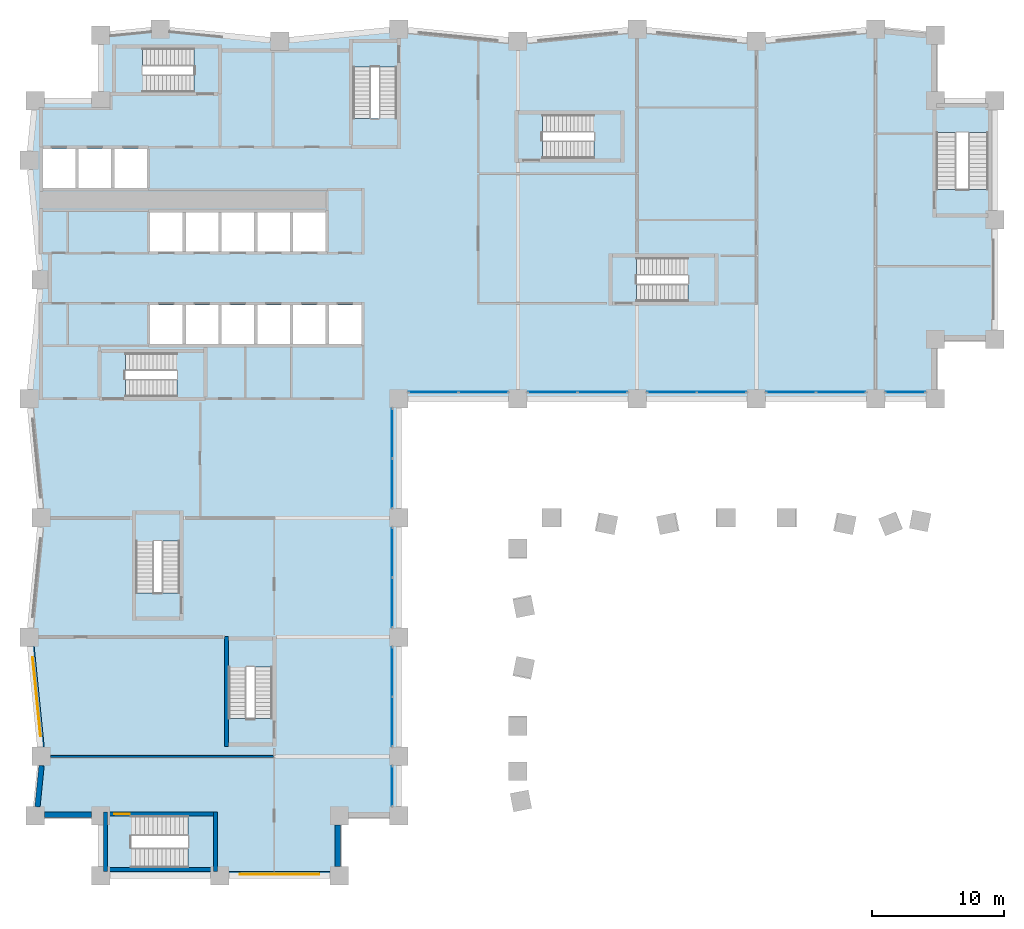
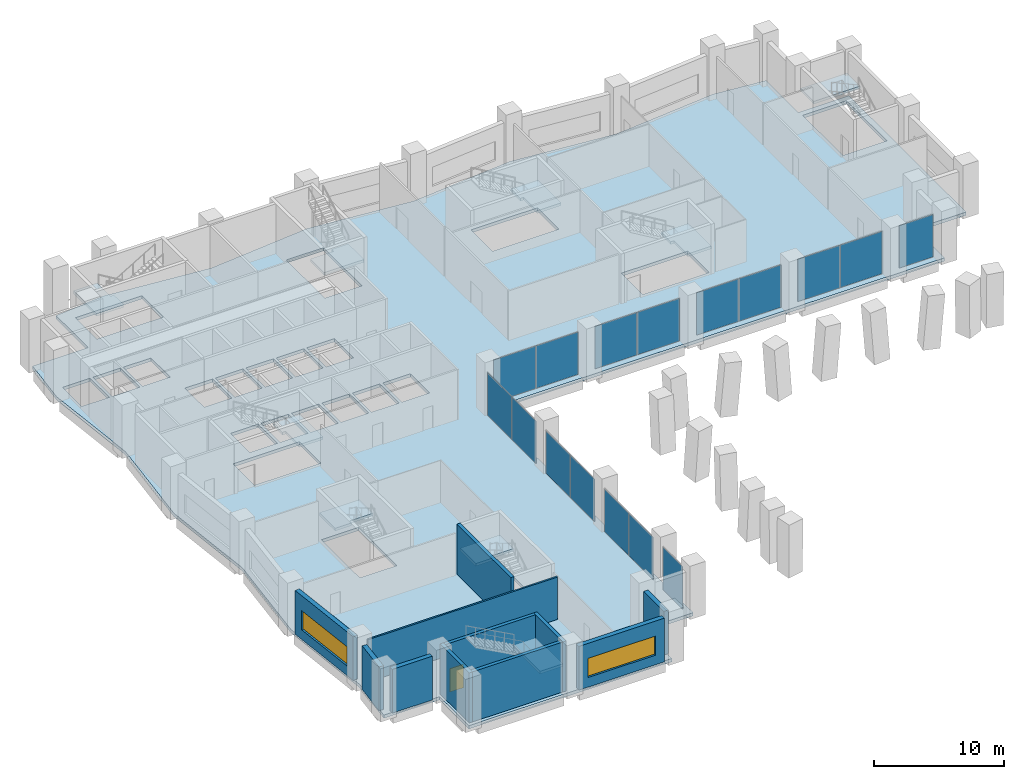
# One storey, part 9 of 17: 16 plates, 11 walls, 10 slabs, 2 windows, 1 door, 3 openings, 18 elements without a shape of their own.
"""IFC4 building model written with IfcOpenShell, lengths in metres."""

from ifc_helpers import new_model, si_unit, direction, frame, frame_2d, origin, origin_2d, place, context, subcontext, project, spatial, polyline, rectangle, outline, extrude, material, layer, layer_set, type_object, element, fill, aggregate, save


model = new_model("IFC4")

# Units and contexts
model_context = context("Model", 3, precision=1e-05, world=origin(), true_north=direction((0.0, 1.0)))
body_context = subcontext(model_context, "Body", "Model", "MODEL_VIEW")
ifc_project = project(units=[si_unit("LENGTHUNIT", "METRE"), si_unit("AREAUNIT", "SQUARE_METRE"), si_unit("VOLUMEUNIT", "CUBIC_METRE"), si_unit("PLANEANGLEUNIT", "RADIAN"), si_unit("MASSUNIT", "GRAM", prefix="KILO")], contexts=[model_context])

# Site, building, storey
site_placement = place(None, origin())
site = spatial("IfcSite", under=ifc_project, at=site_placement, CompositionType="ELEMENT")
building_placement = place(site_placement, origin())
building = spatial("IfcBuilding", under=site, at=building_placement, Name="Brondeck Convention Tower", CompositionType="ELEMENT")
storey_placement = place(building_placement, frame((0.0, 0.0, 14.5)))
storey = spatial("IfcBuildingStorey", under=building, at=storey_placement, Name="L02", CompositionType="ELEMENT", Elevation=14.5)

# Curtain wall, plate
ifc_material_1 = material(Name="Aluminium, bronze anodised", Category="aluminium")
curtain_wall_type = type_object("IfcCurtainWallType", Name="Podium hall curtain wall", PredefinedType="NOTDEFINED", material=ifc_material_1)
curtain_wall_1_placement = place(storey_placement, origin())
curtain_wall_1 = element("IfcCurtainWall", 1, at=curtain_wall_1_placement, inside=storey, type_object=curtain_wall_type, Name="ENV-CW2-L02-B-E-06", PredefinedType="NOTDEFINED")
ifc_material_2 = material(Name="Bronze tinted laminated glass", Category="glass")
ifc_layer_1 = layer(ifc_material_2, 0.009033203125, Name="Outer pane")
ifc_material_3 = material(Name="Argon-filled cavity")
ifc_layer_2 = layer(ifc_material_3, 0.011962890625, Name="Cavity")
ifc_material_4 = material(Name="Clear low-emissivity glass", Category="glass")
ifc_layer_3 = layer(ifc_material_4, 0.009033203125, Name="Inner pane")
ifc_layer_set_1 = layer_set([ifc_layer_1, ifc_layer_2, ifc_layer_3], Name="CW2 glazing panel")
plate_type = type_object("IfcPlateType", Name="CW2 glazing panel", PredefinedType="CURTAIN_PANEL", material=ifc_layer_set_1)
plate_1_placement = place(storey_placement, frame((26.5, 6.75, 0.06005859375), z_axis=(0.0, 0.0, 1.0), x_axis=(0.0, -1.0, 0.0)))
plate_1 = element("IfcPlate", 2, at=plate_1_placement, type_object=plate_type, Name="CW2 panel 1.1", PredefinedType="CURTAIN_PANEL", context=body_context, shape_type="SweptSolid", body=[
    extrude(rectangle(XDim=2.97998046875, YDim=0.030029296875, at=origin_2d()), origin(), (0.0, 0.0, 1.0), 3.97998046875),
])
aggregate(curtain_wall_1, [plate_1])

# Curtain wall, plates
curtain_wall_2_placement = place(storey_placement, origin())
curtain_wall_2 = element("IfcCurtainWall", 3, at=curtain_wall_2_placement, inside=storey, type_object=curtain_wall_type, Name="ENV-CW2-L02-B-E-05", PredefinedType="NOTDEFINED")
plate_2_placement = place(storey_placement, frame((26.5, 15.385009765625, 0.06005859375), z_axis=(0.0, 0.0, 1.0), x_axis=(0.0, -1.0, 0.0)))
plate_2 = element("IfcPlate", 4, at=plate_2_placement, type_object=plate_type, Name="CW2 panel 1.1", PredefinedType="CURTAIN_PANEL", context=body_context, shape_type="SweptSolid", body=[
    extrude(rectangle(XDim=3.7099609375, YDim=0.030029296875, at=origin_2d()), origin(), (0.0, 0.0, 1.0), 3.97998046875),
])
plate_3_placement = place(storey_placement, frame((26.5, 11.614990234375, 0.06005859375), z_axis=(0.0, 0.0, 1.0), x_axis=(0.0, -1.0, 0.0)))
plate_3 = element("IfcPlate", 5, at=plate_3_placement, type_object=plate_type, Name="CW2 panel 2.1", PredefinedType="CURTAIN_PANEL", context=body_context, shape_type="SweptSolid", body=[
    extrude(rectangle(XDim=3.7099609375, YDim=0.030029296875, at=origin_2d()), origin(), (0.0, 0.0, 1.0), 3.97998046875),
])
aggregate(curtain_wall_2, [plate_2, plate_3])

curtain_wall_3_placement = place(storey_placement, origin())
curtain_wall_3 = element("IfcCurtainWall", 6, at=curtain_wall_3_placement, inside=storey, type_object=curtain_wall_type, Name="ENV-CW2-L02-B-E-03", PredefinedType="NOTDEFINED")
plate_4_placement = place(storey_placement, frame((26.5, 24.385009765625, 0.06005859375), z_axis=(0.0, 0.0, 1.0), x_axis=(0.0, -1.0, 0.0)))
plate_4 = element("IfcPlate", 7, at=plate_4_placement, type_object=plate_type, Name="CW2 panel 1.1", PredefinedType="CURTAIN_PANEL", context=body_context, shape_type="SweptSolid", body=[
    extrude(rectangle(XDim=3.7099609375, YDim=0.030029296875, at=origin_2d()), origin(), (0.0, 0.0, 1.0), 3.97998046875),
])
plate_5_placement = place(storey_placement, frame((26.5, 20.614990234375, 0.06005859375), z_axis=(0.0, 0.0, 1.0), x_axis=(0.0, -1.0, 0.0)))
plate_5 = element("IfcPlate", 8, at=plate_5_placement, type_object=plate_type, Name="CW2 panel 2.1", PredefinedType="CURTAIN_PANEL", context=body_context, shape_type="SweptSolid", body=[
    extrude(rectangle(XDim=3.7099609375, YDim=0.030029296875, at=origin_2d()), origin(), (0.0, 0.0, 1.0), 3.97998046875),
])
aggregate(curtain_wall_3, [plate_4, plate_5])

curtain_wall_4_placement = place(storey_placement, origin())
curtain_wall_4 = element("IfcCurtainWall", 9, at=curtain_wall_4_placement, inside=storey, type_object=curtain_wall_type, Name="ENV-CW2-L02-B-E-01", PredefinedType="NOTDEFINED")
plate_6_placement = place(storey_placement, frame((26.5, 33.385009765625, 0.06005859375), z_axis=(0.0, 0.0, 1.0), x_axis=(0.0, -1.0, 0.0)))
plate_6 = element("IfcPlate", 10, at=plate_6_placement, type_object=plate_type, Name="CW2 panel 1.1", PredefinedType="CURTAIN_PANEL", context=body_context, shape_type="SweptSolid", body=[
    extrude(rectangle(XDim=3.7099609375, YDim=0.030029296875, at=origin_2d()), origin(), (0.0, 0.0, 1.0), 3.97998046875),
])
plate_7_placement = place(storey_placement, frame((26.5, 29.614990234375, 0.06005859375), z_axis=(0.0, 0.0, 1.0), x_axis=(0.0, -1.0, 0.0)))
plate_7 = element("IfcPlate", 11, at=plate_7_placement, type_object=plate_type, Name="CW2 panel 2.1", PredefinedType="CURTAIN_PANEL", context=body_context, shape_type="SweptSolid", body=[
    extrude(rectangle(XDim=3.7099609375, YDim=0.030029296875, at=origin_2d()), origin(), (0.0, 0.0, 1.0), 3.97998046875),
])
aggregate(curtain_wall_4, [plate_6, plate_7])

curtain_wall_5_placement = place(storey_placement, origin())
curtain_wall_5 = element("IfcCurtainWall", 12, at=curtain_wall_5_placement, inside=storey, type_object=curtain_wall_type, Name="ENV-CW2-L02-A-S-01", PredefinedType="NOTDEFINED")
plate_8_placement = place(storey_placement, frame((33.385009765625, 36.5, 0.06005859375), z_axis=(0.0, 0.0, 1.0), x_axis=(-1.0, 0.0, 0.0)))
plate_8 = element("IfcPlate", 13, at=plate_8_placement, type_object=plate_type, Name="CW2 panel 1.1", PredefinedType="CURTAIN_PANEL", context=body_context, shape_type="SweptSolid", body=[
    extrude(rectangle(XDim=3.7099609375, YDim=0.030029296875, at=origin_2d()), origin(), (0.0, 0.0, 1.0), 3.97998046875),
])
plate_9_placement = place(storey_placement, frame((29.614990234375, 36.5, 0.06005859375), z_axis=(0.0, 0.0, 1.0), x_axis=(-1.0, 0.0, 0.0)))
plate_9 = element("IfcPlate", 14, at=plate_9_placement, type_object=plate_type, Name="CW2 panel 2.1", PredefinedType="CURTAIN_PANEL", context=body_context, shape_type="SweptSolid", body=[
    extrude(rectangle(XDim=3.7099609375, YDim=0.030029296875, at=origin_2d()), origin(), (0.0, 0.0, 1.0), 3.97998046875),
])
aggregate(curtain_wall_5, [plate_8, plate_9])

curtain_wall_6_placement = place(storey_placement, origin())
curtain_wall_6 = element("IfcCurtainWall", 15, at=curtain_wall_6_placement, inside=storey, type_object=curtain_wall_type, Name="ENV-CW2-L02-A-S-03", PredefinedType="NOTDEFINED")
plate_10_placement = place(storey_placement, frame((42.385009765625, 36.5, 0.06005859375), z_axis=(0.0, 0.0, 1.0), x_axis=(-1.0, 0.0, 0.0)))
plate_10 = element("IfcPlate", 16, at=plate_10_placement, type_object=plate_type, Name="CW2 panel 1.1", PredefinedType="CURTAIN_PANEL", context=body_context, shape_type="SweptSolid", body=[
    extrude(rectangle(XDim=3.7099609375, YDim=0.030029296875, at=origin_2d()), origin(), (0.0, 0.0, 1.0), 3.97998046875),
])
plate_11_placement = place(storey_placement, frame((38.614990234375, 36.5, 0.06005859375), z_axis=(0.0, 0.0, 1.0), x_axis=(-1.0, 0.0, 0.0)))
plate_11 = element("IfcPlate", 17, at=plate_11_placement, type_object=plate_type, Name="CW2 panel 2.1", PredefinedType="CURTAIN_PANEL", context=body_context, shape_type="SweptSolid", body=[
    extrude(rectangle(XDim=3.7099609375, YDim=0.030029296875, at=origin_2d()), origin(), (0.0, 0.0, 1.0), 3.97998046875),
])
aggregate(curtain_wall_6, [plate_10, plate_11])

curtain_wall_7_placement = place(storey_placement, origin())
curtain_wall_7 = element("IfcCurtainWall", 18, at=curtain_wall_7_placement, inside=storey, type_object=curtain_wall_type, Name="ENV-CW2-L02-A-S-05", PredefinedType="NOTDEFINED")
plate_12_placement = place(storey_placement, frame((51.385009765625, 36.5, 0.06005859375), z_axis=(0.0, 0.0, 1.0), x_axis=(-1.0, 0.0, 0.0)))
plate_12 = element("IfcPlate", 19, at=plate_12_placement, type_object=plate_type, Name="CW2 panel 1.1", PredefinedType="CURTAIN_PANEL", context=body_context, shape_type="SweptSolid", body=[
    extrude(rectangle(XDim=3.7099609375, YDim=0.030029296875, at=origin_2d()), origin(), (0.0, 0.0, 1.0), 3.97998046875),
])
plate_13_placement = place(storey_placement, frame((47.614990234375, 36.5, 0.06005859375), z_axis=(0.0, 0.0, 1.0), x_axis=(-1.0, 0.0, 0.0)))
plate_13 = element("IfcPlate", 20, at=plate_13_placement, type_object=plate_type, Name="CW2 panel 2.1", PredefinedType="CURTAIN_PANEL", context=body_context, shape_type="SweptSolid", body=[
    extrude(rectangle(XDim=3.7099609375, YDim=0.030029296875, at=origin_2d()), origin(), (0.0, 0.0, 1.0), 3.97998046875),
])
aggregate(curtain_wall_7, [plate_12, plate_13])

curtain_wall_8_placement = place(storey_placement, origin())
curtain_wall_8 = element("IfcCurtainWall", 21, at=curtain_wall_8_placement, inside=storey, type_object=curtain_wall_type, Name="ENV-CW2-L02-A-S-07", PredefinedType="NOTDEFINED")
plate_14_placement = place(storey_placement, frame((60.385009765625, 36.5, 0.06005859375), z_axis=(0.0, 0.0, 1.0), x_axis=(-1.0, 0.0, 0.0)))
plate_14 = element("IfcPlate", 22, at=plate_14_placement, type_object=plate_type, Name="CW2 panel 1.1", PredefinedType="CURTAIN_PANEL", context=body_context, shape_type="SweptSolid", body=[
    extrude(rectangle(XDim=3.7099609375, YDim=0.030029296875, at=origin_2d()), origin(), (0.0, 0.0, 1.0), 3.97998046875),
])
plate_15_placement = place(storey_placement, frame((56.614990234375, 36.5, 0.06005859375), z_axis=(0.0, 0.0, 1.0), x_axis=(-1.0, 0.0, 0.0)))
plate_15 = element("IfcPlate", 23, at=plate_15_placement, type_object=plate_type, Name="CW2 panel 2.1", PredefinedType="CURTAIN_PANEL", context=body_context, shape_type="SweptSolid", body=[
    extrude(rectangle(XDim=3.7099609375, YDim=0.030029296875, at=origin_2d()), origin(), (0.0, 0.0, 1.0), 3.97998046875),
])
aggregate(curtain_wall_8, [plate_14, plate_15])

# Curtain wall, plate
curtain_wall_9_placement = place(storey_placement, origin())
curtain_wall_9 = element("IfcCurtainWall", 24, at=curtain_wall_9_placement, inside=storey, type_object=curtain_wall_type, Name="ENV-CW2-L02-A-S-08", PredefinedType="NOTDEFINED")
plate_16_placement = place(storey_placement, frame((65.25, 36.5, 0.06005859375), z_axis=(0.0, 0.0, 1.0), x_axis=(-1.0, 0.0, 0.0)))
plate_16 = element("IfcPlate", 25, at=plate_16_placement, type_object=plate_type, Name="CW2 panel 1.1", PredefinedType="CURTAIN_PANEL", context=body_context, shape_type="SweptSolid", body=[
    extrude(rectangle(XDim=2.97998046875, YDim=0.030029296875, at=origin_2d()), origin(), (0.0, 0.0, 1.0), 3.97998046875),
])
aggregate(curtain_wall_9, [plate_16])

# Slab
ifc_material_5 = material(Name="Concrete C35/45", Category="concrete")
ifc_layer_4 = layer(ifc_material_5, 0.300048828125)
ifc_layer_set_2 = layer_set([ifc_layer_4], Name="Composite floor slab 300")
slab_type_1 = type_object("IfcSlabType", Name="Composite floor slab 300", PredefinedType="FLOOR", material=ifc_layer_set_2)
slab_1_placement = place(storey_placement, frame((0.0, 0.0, -0.300048828125)))
element("IfcSlab", 26, at=slab_1_placement, inside=storey, type_object=slab_type_1, Name="STR-SL-L02", PredefinedType="FLOOR", context=body_context, shape_type="SweptSolid", body=[
    extrude(outline(polyline([(4.5, 4.5), (-0.449951171875, 4.5), (0.0, 9.0), (-0.89990234375, 18.0), (0.0, 27.0), (-0.89990234375, 36.0), (0.0, 45.0), (-0.89990234375, 54.0), (-0.449951171875, 58.5), (4.5, 58.5), (4.5, 63.449951171875), (9.0, 63.89990234375), (18.0, 63.0), (27.0, 63.89990234375), (36.0, 63.0), (45.0, 63.89990234375), (54.0, 63.0), (63.0, 63.89990234375), (67.5, 63.449951171875), (67.5, 58.5), (72.0, 58.5), (72.0, 40.5), (67.5, 40.5), (67.5, 36.0), (27.0, 36.0), (27.0, 4.5), (22.5, 4.5), (22.5, 0.0), (4.5, 0.0), (4.5, 4.5)]), holes=[polyline([(12.998046875, 0.60205078125), (12.998046875, 4.498046875), (6.802001953125, 4.498046875), (6.802001953125, 0.60205078125), (12.998046875, 0.60205078125)]), polyline([(10.447998046875, 27.248046875), (7.152099609375, 27.248046875), (7.152099609375, 21.35205078125), (10.447998046875, 21.35205078125), (10.447998046875, 27.248046875)]), polyline([(12.248046875, 36.152099609375), (12.248046875, 39.447998046875), (6.35205078125, 39.447998046875), (6.35205078125, 36.152099609375), (12.248046875, 36.152099609375)]), polyline([(8.22509765625, 40.125), (10.675048828125, 40.125), (10.675048828125, 43.074951171875), (8.22509765625, 43.074951171875), (8.22509765625, 40.125)]), polyline([(10.925048828125, 40.125), (13.375, 40.125), (13.375, 43.074951171875), (10.925048828125, 43.074951171875), (10.925048828125, 40.125)]), polyline([(10.675048828125, 47.125), (10.675048828125, 50.074951171875), (8.22509765625, 50.074951171875), (8.22509765625, 47.125), (10.675048828125, 47.125)]), polyline([(10.925048828125, 47.125), (13.375, 47.125), (13.375, 50.074951171875), (10.925048828125, 50.074951171875), (10.925048828125, 47.125)]), polyline([(13.625, 47.125), (16.074951171875, 47.125), (16.074951171875, 50.074951171875), (13.625, 50.074951171875), (13.625, 47.125)]), polyline([(2.574951171875, 51.925048828125), (2.574951171875, 54.875), (0.125, 54.875), (0.125, 51.925048828125), (2.574951171875, 51.925048828125)]), polyline([(2.824951171875, 51.925048828125), (5.27490234375, 51.925048828125), (5.27490234375, 54.875), (2.824951171875, 54.875), (2.824951171875, 51.925048828125)]), polyline([(5.52490234375, 51.925048828125), (7.97509765625, 51.925048828125), (7.97509765625, 54.875), (5.52490234375, 54.875), (5.52490234375, 51.925048828125)]), polyline([(5.652099609375, 62.447998046875), (5.652099609375, 59.152099609375), (11.548095703125, 59.152099609375), (11.548095703125, 62.447998046875), (5.652099609375, 62.447998046875)]), polyline([(17.447998046875, 11.85205078125), (17.447998046875, 17.748046875), (14.152099609375, 17.748046875), (14.152099609375, 11.85205078125), (17.447998046875, 11.85205078125)]), polyline([(13.625, 40.125), (16.074951171875, 40.125), (16.074951171875, 43.074951171875), (13.625, 43.074951171875), (13.625, 40.125)]), polyline([(18.77490234375, 40.125), (18.77490234375, 43.074951171875), (16.324951171875, 43.074951171875), (16.324951171875, 40.125), (18.77490234375, 40.125)]), polyline([(19.02490234375, 40.125), (21.47509765625, 40.125), (21.47509765625, 43.074951171875), (19.02490234375, 43.074951171875), (19.02490234375, 40.125)]), polyline([(21.72509765625, 40.125), (24.175048828125, 40.125), (24.175048828125, 43.074951171875), (21.72509765625, 43.074951171875), (21.72509765625, 40.125)]), polyline([(50.847900390625, 43.35205078125), (50.847900390625, 46.64794921875), (44.951904296875, 46.64794921875), (44.951904296875, 43.35205078125), (50.847900390625, 43.35205078125)]), polyline([(16.324951171875, 47.125), (18.77490234375, 47.125), (18.77490234375, 50.074951171875), (16.324951171875, 50.074951171875), (16.324951171875, 47.125)]), polyline([(19.02490234375, 47.125), (21.47509765625, 47.125), (21.47509765625, 50.074951171875), (19.02490234375, 50.074951171875), (19.02490234375, 47.125)]), polyline([(71.498046875, 57.998046875), (67.60205078125, 57.998046875), (67.60205078125, 51.802001953125), (71.498046875, 51.802001953125), (71.498046875, 57.998046875)]), polyline([(37.85205078125, 54.152099609375), (43.748046875, 54.152099609375), (43.748046875, 57.447998046875), (37.85205078125, 57.447998046875), (37.85205078125, 54.152099609375)]), polyline([(23.552001953125, 61.048095703125), (23.552001953125, 55.152099609375), (26.847900390625, 55.152099609375), (26.847900390625, 61.048095703125), (23.552001953125, 61.048095703125)])]), origin(), (0.0, 0.0, 1.0), 0.300048828125),
])

# Stair, slab
ifc_material_6 = material(Name="Precast concrete C50/60", Category="concrete")
stair_type_1 = type_object("IfcStairType", Name="Core stair 28 risers 178.57 mm riser 300 mm going 1350 wide", PredefinedType="HALF_TURN_STAIR", material=ifc_material_6)
stair_1_placement = place(storey_placement, origin())
stair_1 = element("IfcStair", 27, at=stair_1_placement, inside=storey, type_object=stair_type_1, Name="ST-1 L02 stair", PredefinedType="HALF_TURN_STAIR")
ifc_layer_5 = layer(ifc_material_6, 0.25)
ifc_layer_set_3 = layer_set([ifc_layer_5], Name="Core stair landing 250 Precast concrete C50/60")
slab_type_2 = type_object("IfcSlabType", Name="Core stair landing 250 Precast concrete C50/60", PredefinedType="LANDING", material=ifc_layer_set_3)
slab_2_placement = place(storey_placement, frame((0.0, 0.0, 2.25)))
slab_2 = element("IfcSlab", 28, at=slab_2_placement, type_object=slab_type_2, Name="ST-1 landing 1", PredefinedType="LANDING", context=body_context, shape_type="SweptSolid", body=[
    extrude(outline(polyline([(10.248046875, 37.5), (10.25, 37.5), (10.25, 38.10009765625), (9.949951171875, 38.10009765625), (9.949951171875, 39.570068359375), (12.3701171875, 39.570068359375), (12.3701171875, 36.030029296875), (10.248046875, 36.030029296875), (10.248046875, 37.5)])), origin(), (0.0, 0.0, 1.0), 0.25),
])
aggregate(stair_1, [slab_2])

stair_2_placement = place(storey_placement, origin())
stair_2 = element("IfcStair", 29, at=stair_2_placement, inside=storey, type_object=stair_type_1, Name="ST-2 L02 stair", PredefinedType="HALF_TURN_STAIR")
slab_3_placement = place(storey_placement, frame((0.0, 0.0, 2.25)))
slab_3 = element("IfcSlab", 30, at=slab_3_placement, type_object=slab_type_2, Name="ST-2 landing 1", PredefinedType="LANDING", context=body_context, shape_type="SweptSolid", body=[
    extrude(outline(polyline([(23.429931640625, 57.152099609375), (24.89990234375, 57.152099609375), (24.89990234375, 57.14990234375), (25.5, 57.14990234375), (25.5, 57.449951171875), (26.969970703125, 57.449951171875), (26.969970703125, 55.030029296875), (23.429931640625, 55.030029296875), (23.429931640625, 57.152099609375)])), origin(), (0.0, 0.0, 1.0), 0.25),
])
aggregate(stair_2, [slab_3])

stair_3_placement = place(storey_placement, origin())
stair_3 = element("IfcStair", 31, at=stair_3_placement, inside=storey, type_object=stair_type_1, Name="ST-3 L02 stair", PredefinedType="HALF_TURN_STAIR")
slab_4_placement = place(storey_placement, frame((0.0, 0.0, 2.25)))
slab_4 = element("IfcSlab", 32, at=slab_4_placement, type_object=slab_type_2, Name="ST-3 landing 1", PredefinedType="LANDING", context=body_context, shape_type="SweptSolid", body=[
    extrude(outline(polyline([(7.949951171875, 60.5), (7.949951171875, 59.030029296875), (5.530029296875, 59.030029296875), (5.530029296875, 62.570068359375), (7.652099609375, 62.570068359375), (7.652099609375, 61.10009765625), (7.64990234375, 61.10009765625), (7.64990234375, 60.5), (7.949951171875, 60.5)])), origin(), (0.0, 0.0, 1.0), 0.25),
])
aggregate(stair_3, [slab_4])

stair_4_placement = place(storey_placement, origin())
stair_4 = element("IfcStair", 33, at=stair_4_placement, inside=storey, type_object=stair_type_1, Name="ST-AE L02 stair", PredefinedType="HALF_TURN_STAIR")
slab_5_placement = place(storey_placement, frame((0.0, 0.0, 2.25)))
slab_5 = element("IfcSlab", 34, at=slab_5_placement, type_object=slab_type_2, Name="ST-AE landing 1", PredefinedType="LANDING", context=body_context, shape_type="SweptSolid", body=[
    extrude(outline(polyline([(41.748046875, 55.5), (41.75, 55.5), (41.75, 56.10009765625), (41.449951171875, 56.10009765625), (41.449951171875, 57.570068359375), (43.8701171875, 57.570068359375), (43.8701171875, 54.030029296875), (41.748046875, 54.030029296875), (41.748046875, 55.5)])), origin(), (0.0, 0.0, 1.0), 0.25),
])
aggregate(stair_4, [slab_5])

stair_5_placement = place(storey_placement, origin())
stair_5 = element("IfcStair", 35, at=stair_5_placement, inside=storey, type_object=stair_type_1, Name="ST-BE L02 stair", PredefinedType="HALF_TURN_STAIR")
slab_6_placement = place(storey_placement, frame((0.0, 0.0, 2.25)))
slab_6 = element("IfcSlab", 36, at=slab_6_placement, type_object=slab_type_2, Name="ST-BE landing 1", PredefinedType="LANDING", context=body_context, shape_type="SweptSolid", body=[
    extrude(outline(polyline([(7.030029296875, 24.949951171875), (7.030029296875, 27.3701171875), (10.570068359375, 27.3701171875), (10.570068359375, 25.248046875), (9.10009765625, 25.248046875), (9.10009765625, 25.25), (8.5, 25.25), (8.5, 24.949951171875), (7.030029296875, 24.949951171875)])), origin(), (0.0, 0.0, 1.0), 0.25),
])
aggregate(stair_5, [slab_6])

stair_6_placement = place(storey_placement, origin())
stair_6 = element("IfcStair", 37, at=stair_6_placement, inside=storey, type_object=stair_type_1, Name="ST-AF L02 stair", PredefinedType="HALF_TURN_STAIR")
slab_7_placement = place(storey_placement, frame((0.0, 0.0, 2.25)))
slab_7 = element("IfcSlab", 38, at=slab_7_placement, type_object=slab_type_2, Name="ST-AF landing 1", PredefinedType="LANDING", context=body_context, shape_type="SweptSolid", body=[
    extrude(outline(polyline([(48.847900390625, 44.699951171875), (48.85009765625, 44.699951171875), (48.85009765625, 45.300048828125), (48.550048828125, 45.300048828125), (48.550048828125, 46.77001953125), (50.969970703125, 46.77001953125), (50.969970703125, 43.22998046875), (48.847900390625, 43.22998046875), (48.847900390625, 44.699951171875)])), origin(), (0.0, 0.0, 1.0), 0.25),
])
aggregate(stair_6, [slab_7])

stair_7_placement = place(storey_placement, origin())
stair_7 = element("IfcStair", 39, at=stair_7_placement, inside=storey, type_object=stair_type_1, Name="ST-BF L02 stair", PredefinedType="HALF_TURN_STAIR")
slab_8_placement = place(storey_placement, frame((0.0, 0.0, 2.25)))
slab_8 = element("IfcSlab", 40, at=slab_8_placement, type_object=slab_type_2, Name="ST-BF landing 1", PredefinedType="LANDING", context=body_context, shape_type="SweptSolid", body=[
    extrude(outline(polyline([(14.030029296875, 15.449951171875), (14.030029296875, 17.8701171875), (17.570068359375, 17.8701171875), (17.570068359375, 15.748046875), (16.10009765625, 15.748046875), (16.10009765625, 15.75), (15.5, 15.75), (15.5, 15.449951171875), (14.030029296875, 15.449951171875)])), origin(), (0.0, 0.0, 1.0), 0.25),
])
aggregate(stair_7, [slab_8])

stair_type_2 = type_object("IfcStairType", Name="Core stair 28 risers 178.57 mm riser 330 mm going 1500 wide", PredefinedType="HALF_TURN_STAIR", material=ifc_material_6)
stair_8_placement = place(storey_placement, origin())
stair_8 = element("IfcStair", 41, at=stair_8_placement, inside=storey, type_object=stair_type_2, Name="PS-1 L02 stair", PredefinedType="HALF_TURN_STAIR")
slab_9_placement = place(storey_placement, frame((0.0, 0.0, 2.25)))
slab_9 = element("IfcSlab", 42, at=slab_9_placement, type_object=slab_type_2, Name="PS-1 landing 1", PredefinedType="LANDING", context=body_context, shape_type="SweptSolid", body=[
    extrude(outline(polyline([(69.10009765625, 56.087890625), (67.47998046875, 56.087890625), (67.47998046875, 58.1201171875), (71.6201171875, 58.1201171875), (71.6201171875, 56.087890625), (70.0, 56.087890625), (70.0, 56.090087890625), (69.10009765625, 56.090087890625), (69.10009765625, 56.087890625)])), origin(), (0.0, 0.0, 1.0), 0.25),
])
aggregate(stair_8, [slab_9])

stair_9_placement = place(storey_placement, origin())
stair_9 = element("IfcStair", 43, at=stair_9_placement, inside=storey, type_object=stair_type_2, Name="PS-2 L02 stair", PredefinedType="HALF_TURN_STAIR")
slab_10_placement = place(storey_placement, frame((0.0, 0.0, 2.25)))
slab_10 = element("IfcSlab", 44, at=slab_10_placement, type_object=slab_type_2, Name="PS-2 landing 1", PredefinedType="LANDING", context=body_context, shape_type="SweptSolid", body=[
    extrude(outline(polyline([(11.087890625, 0.47998046875), (11.087890625, 2.10009765625), (11.090087890625, 2.10009765625), (11.090087890625, 3.0), (11.087890625, 3.0), (11.087890625, 4.6201171875), (13.1201171875, 4.6201171875), (13.1201171875, 0.47998046875), (11.087890625, 0.47998046875)])), origin(), (0.0, 0.0, 1.0), 0.25),
])
aggregate(stair_9, [slab_10])

# Wall, opening, window
ifc_material_7 = material(Name="Limestone", Category="masonry")
ifc_layer_6 = layer(ifc_material_7, 0.10009765625, Name="Limestone facing")
ifc_material_8 = material(Name="Mineral wool")
ifc_layer_7 = layer(ifc_material_8, 0.159912109375, Name="Insulation")
ifc_layer_8 = layer(ifc_material_5, 0.139892578125, Name="Backing")
ifc_layer_set_4 = layer_set([ifc_layer_6, ifc_layer_7, ifc_layer_8], Name="External wall, limestone cladding")
wall_type_1 = type_object("IfcWallType", Name="External wall, limestone cladding", PredefinedType="SOLIDWALL", material=ifc_layer_set_4)
wall_1_placement = place(storey_placement, frame((21.800048828125, 0.10009765625, 0.0), z_axis=(0.0, 0.0, 1.0), x_axis=(-1.0, 0.0, 0.0)))
wall_1 = element("IfcWall", 45, at=wall_1_placement, inside=storey, type_object=wall_type_1, Name="ENV-EW-L02-BASE-B-S-04", PredefinedType="SOLIDWALL", context=body_context, shape_type="SweptSolid", body=[
    extrude(rectangle(XDim=7.60009765625, YDim=0.39990234375, at=frame_2d((3.800048828125, 0.0))), origin(), (0.0, 0.0, 1.0), 4.10009765625),
])
opening_1_placement = place(wall_1_placement, frame((0.800048828125, 0.0, 0.89990234375)))
opening_1 = element("IfcOpeningElement", 46, at=opening_1_placement, cuts=wall_1, Name="Opening W4", PredefinedType="OPENING", context=body_context, shape_type="SweptSolid", body=[
    extrude(rectangle(XDim=6.0, YDim=1.800048828125, at=frame_2d((3.0, 0.89990234375))), frame((0.0, 0.2099609375, 0.0), z_axis=(0.0, -1.0, 0.0), x_axis=(1.0, 0.0, 0.0)), (0.0, 0.0, 1.0), 0.419921875),
])
ifc_material_9 = material(Name="Bronze tinted double glazing", Category="glass")
window_type = type_object("IfcWindowType", Name="Podium ribbon window, bronze tinted", PartitioningType="SINGLE_PANEL", PredefinedType="WINDOW", material=ifc_material_9)
window_1_placement = place(opening_1_placement, origin())
window_1 = element("IfcWindow", 47, at=window_1_placement, inside=storey, type_object=window_type, Name="ENV-WN-L02-BASE-B-S-04", OverallHeight=1.800048828125, OverallWidth=6.0, PartitioningType="SINGLE_PANEL", PredefinedType="WINDOW", context=body_context, shape_type="SweptSolid", body=[
    extrude(rectangle(XDim=6.0, YDim=1.800048828125, at=frame_2d((3.0, 0.89990234375))), frame((0.0, 0.030029296875, 0.0), z_axis=(0.0, -1.0, 0.0), x_axis=(1.0, 0.0, 0.0)), (0.0, 0.0, 1.0), 0.06005859375),
])
fill(opening_1, window_1)

# Wall
wall_2_placement = place(storey_placement, frame((22.39990234375, 3.800048828125, 0.0), z_axis=(0.0, 0.0, 1.0), x_axis=(0.0, -1.0, 0.0)))
element("IfcWall", 48, at=wall_2_placement, inside=storey, type_object=wall_type_1, Name="ENV-EW-L02-BASE-NC-SEB-01", PredefinedType="SOLIDWALL", context=body_context, shape_type="SweptSolid", body=[
    extrude(rectangle(XDim=3.10009765625, YDim=0.39990234375, at=frame_2d((1.550048828125, 0.0))), origin(), (0.0, 0.0, 1.0), 4.10009765625),
])

# Wall, opening, window
wall_3_placement = place(storey_placement, frame((0.02978515625, 9.70654296875, 0.0), z_axis=(0.0, 0.0, 1.0), x_axis=(-0.099478423711, 0.995039719416, 0.0)))
wall_3 = element("IfcWall", 49, at=wall_3_placement, inside=storey, type_object=wall_type_1, Name="ENV-EW-L02-BASE-B-W-11", PredefinedType="SOLIDWALL", context=body_context, shape_type="SweptSolid", body=[
    extrude(rectangle(XDim=7.644775390625, YDim=0.39990234375, at=frame_2d((3.822265625, 0.0))), origin(), (0.0, 0.0, 1.0), 4.10009765625),
])
opening_2_placement = place(wall_3_placement, frame((0.822509765625, 0.0, 0.89990234375)))
opening_2 = element("IfcOpeningElement", 50, at=opening_2_placement, cuts=wall_3, Name="Opening W4", PredefinedType="OPENING", context=body_context, shape_type="SweptSolid", body=[
    extrude(rectangle(XDim=6.0, YDim=1.800048828125, at=frame_2d((3.0, 0.89990234375))), frame((0.0, 0.2099609375, 0.0), z_axis=(0.0, -1.0, 0.0), x_axis=(1.0, 0.0, 0.0)), (0.0, 0.0, 1.0), 0.419921875),
])
window_2_placement = place(opening_2_placement, origin())
window_2 = element("IfcWindow", 51, at=window_2_placement, inside=storey, type_object=window_type, Name="ENV-WN-L02-BASE-B-W-11", OverallHeight=1.800048828125, OverallWidth=6.0, PartitioningType="SINGLE_PANEL", PredefinedType="WINDOW", context=body_context, shape_type="SweptSolid", body=[
    extrude(rectangle(XDim=6.0, YDim=1.800048828125, at=frame_2d((3.0, 0.89990234375))), frame((0.0, 0.030029296875, 0.0), z_axis=(0.0, -1.0, 0.0), x_axis=(1.0, 0.0, 0.0)), (0.0, 0.0, 1.0), 0.06005859375),
])
fill(opening_2, window_2)

# Walls
wall_4_placement = place(storey_placement, frame((-0.28076171875, 5.1865234375, 0.0), z_axis=(0.0, 0.0, 1.0), x_axis=(0.099457269599, 0.995041834057, 0.0)))
element("IfcWall", 52, at=wall_4_placement, inside=storey, type_object=wall_type_1, Name="ENV-EW-L02-BASE-B-W-12", PredefinedType="SOLIDWALL", context=body_context, shape_type="SweptSolid", body=[
    extrude(rectangle(XDim=3.122314453125, YDim=0.39990234375, at=frame_2d((1.56103515625, 0.0))), origin(), (0.0, 0.0, 1.0), 4.10009765625),
])
wall_5_placement = place(storey_placement, frame((3.800048828125, 4.60009765625, 0.0), z_axis=(0.0, 0.0, 1.0), x_axis=(-1.0, 0.0, 0.0)))
element("IfcWall", 53, at=wall_5_placement, inside=storey, type_object=wall_type_1, Name="ENV-EW-L02-BASE-NC-SWB-01", PredefinedType="SOLIDWALL", context=body_context, shape_type="SweptSolid", body=[
    extrude(rectangle(XDim=3.550048828125, YDim=0.39990234375, at=frame_2d((1.77490234375, 0.0))), origin(), (0.0, 0.0, 1.0), 4.10009765625),
])
ifc_material_10 = material(Name="Double gypsum board acoustic wall")
ifc_layer_9 = layer(ifc_material_10, 0.14990234375)
ifc_layer_set_5 = layer_set([ifc_layer_9], Name="Guest room party wall 150")
wall_type_2 = type_object("IfcWallType", Name="Guest room party wall 150", PredefinedType="PARTITIONING", material=ifc_layer_set_5)
wall_6_placement = place(storey_placement, frame((0.719970703125, 9.0, 0.0), z_axis=(0.0, 0.0, 1.0), x_axis=(1.0, 0.0, 0.0)))
element("IfcWall", 54, at=wall_6_placement, inside=storey, type_object=wall_type_2, Name="FLR-L02-W002", PredefinedType="PARTITIONING", context=body_context, shape_type="SweptSolid", body=[
    extrude(rectangle(XDim=16.804931640625, YDim=0.14990234375, at=frame_2d((8.40234375, 0.0))), origin(), (0.0, 0.0, 1.0), 3.97998046875),
])
ifc_material_11 = material(Name="Concrete C80/95", Category="concrete")
ifc_layer_10 = layer(ifc_material_11, 0.300048828125)
ifc_layer_set_6 = layer_set([ifc_layer_10], Name="Stair enclosure wall 300 Concrete C80/95")
wall_type_3 = type_object("IfcWallType", Name="Stair enclosure wall 300 Concrete C80/95", PredefinedType="SHEAR", material=ifc_layer_set_6)
wall_7_placement = place(storey_placement, frame((5.0, 0.449951171875, 0.0), z_axis=(0.0, 0.0, 1.0), x_axis=(1.0, 0.0, 0.0)))
element("IfcWall", 55, at=wall_7_placement, inside=storey, type_object=wall_type_3, Name="L02 core wall", PredefinedType="SHEAR", context=body_context, shape_type="SweptSolid", body=[
    extrude(rectangle(XDim=8.0, YDim=0.300048828125, at=frame_2d((4.0, 0.0))), origin(), (0.0, 0.0, 1.0), 4.699951171875),
])

# Wall, opening, door
wall_8_placement = place(storey_placement, frame((5.0, 4.64990234375, 0.0), z_axis=(0.0, 0.0, 1.0), x_axis=(1.0, 0.0, 0.0)))
wall_8 = element("IfcWall", 56, at=wall_8_placement, inside=storey, type_object=wall_type_3, Name="L02 core wall", PredefinedType="SHEAR", context=body_context, shape_type="SweptSolid", body=[
    extrude(rectangle(XDim=8.0, YDim=0.300048828125, at=frame_2d((4.0, 0.0))), origin(), (0.0, 0.0, 1.0), 4.699951171875),
])
opening_3_placement = place(wall_8_placement, frame((0.5, 0.0, 0.0)))
opening_3 = element("IfcOpeningElement", 57, at=opening_3_placement, cuts=wall_8, Name="Opening C04-14", PredefinedType="OPENING", context=body_context, shape_type="SweptSolid", body=[
    extrude(rectangle(XDim=1.199951171875, YDim=2.199951171875, at=frame_2d((0.60009765625, 1.10009765625))), frame((0.0, 0.159912109375, 0.0), z_axis=(0.0, -1.0, 0.0), x_axis=(1.0, 0.0, 0.0)), (0.0, 0.0, 1.0), 0.320068359375),
])
ifc_material_12 = material(Name="Steel fire door", Category="steel")
door_type = type_object("IfcDoorType", Name="Stair door 1200x2200 EI 90", OperationType="NOTDEFINED", PredefinedType="DOOR", material=ifc_material_12)
door_placement = place(opening_3_placement, origin())
door = element("IfcDoor", 58, at=door_placement, inside=storey, type_object=door_type, Name="L02 Stair door PS-2", OperationType="SINGLE_SWING_LEFT", OverallHeight=2.199951171875, OverallWidth=1.199951171875, PredefinedType="DOOR", context=body_context, shape_type="SweptSolid", body=[
    extrude(rectangle(XDim=1.199951171875, YDim=2.199951171875, at=frame_2d((0.60009765625, 1.10009765625))), frame((0.0, 0.02490234375, 0.0), z_axis=(0.0, -1.0, 0.0), x_axis=(1.0, 0.0, 0.0)), (0.0, 0.0, 1.0), 0.050048828125),
])
fill(opening_3, door)

# Walls
for number, where, z_axis, x_axis, name in (
    (59, (4.85009765625, 0.300048828125, 0.0), (0.0, 0.0, 1.0), (0.0, 1.0, 0.0), "L02 core wall"),
    (60, (13.14990234375, 0.300048828125, 0.0), (0.0, 0.0, 1.0), (0.0, 1.0, 0.0), "L02 core wall"),
):
    element("IfcWall", number, at=place(storey_placement, frame(where, z_axis=z_axis, x_axis=x_axis)), inside=storey, type_object=wall_type_3, Name=name, PredefinedType="SHEAR", context=body_context, shape_type="SweptSolid", body=[
        extrude(rectangle(XDim=4.5, YDim=0.300048828125, at=frame_2d((2.25, 0.0))), origin(), (0.0, 0.0, 1.0), 4.699951171875),
    ])
wall_9_placement = place(storey_placement, frame((14.0, 9.75, 0.0), z_axis=(0.0, 0.0, 1.0), x_axis=(0.0, 1.0, 0.0)))
element("IfcWall", 61, at=wall_9_placement, inside=storey, type_object=wall_type_3, Name="L02 core wall", PredefinedType="SHEAR", context=body_context, shape_type="SweptSolid", body=[
    extrude(rectangle(XDim=8.300048828125, YDim=0.300048828125, at=frame_2d((4.14990234375, 0.0))), origin(), (0.0, 0.0, 1.0), 4.699951171875),
])

save(model, "model.ifc")
